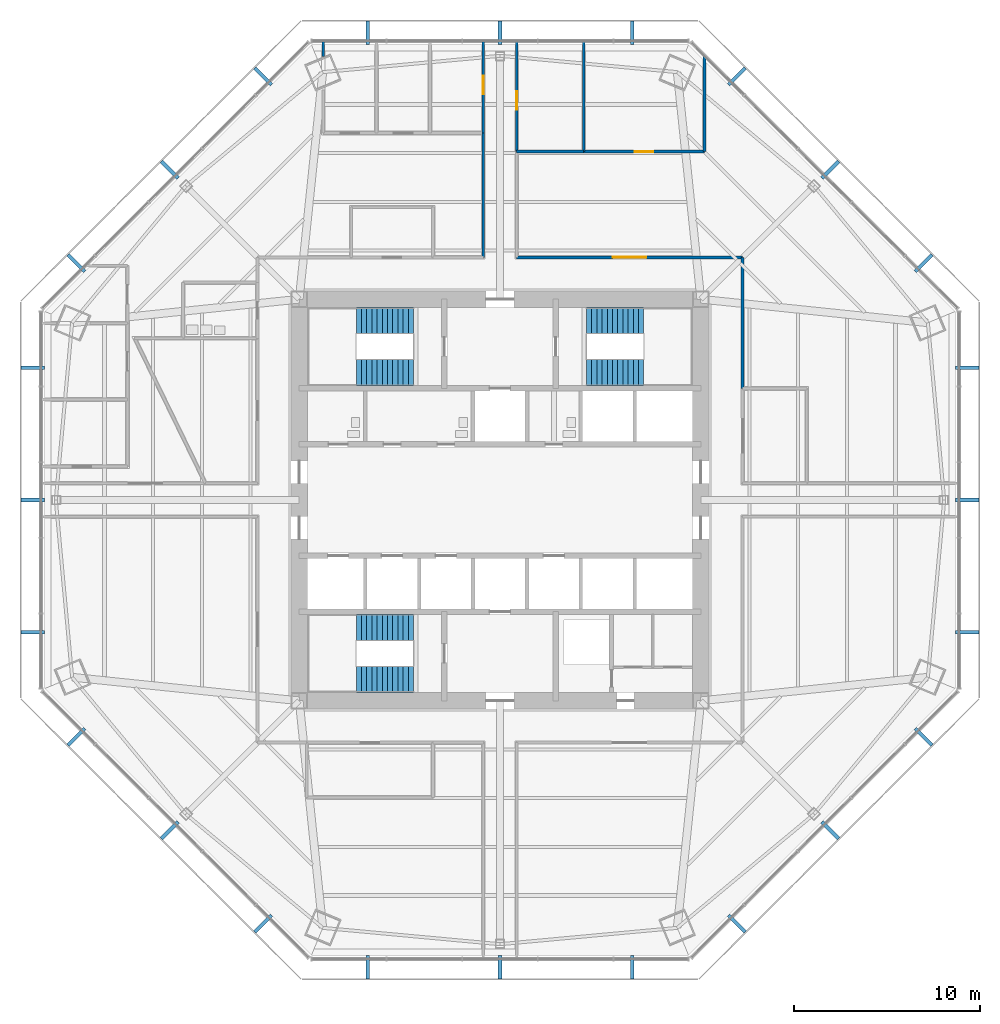
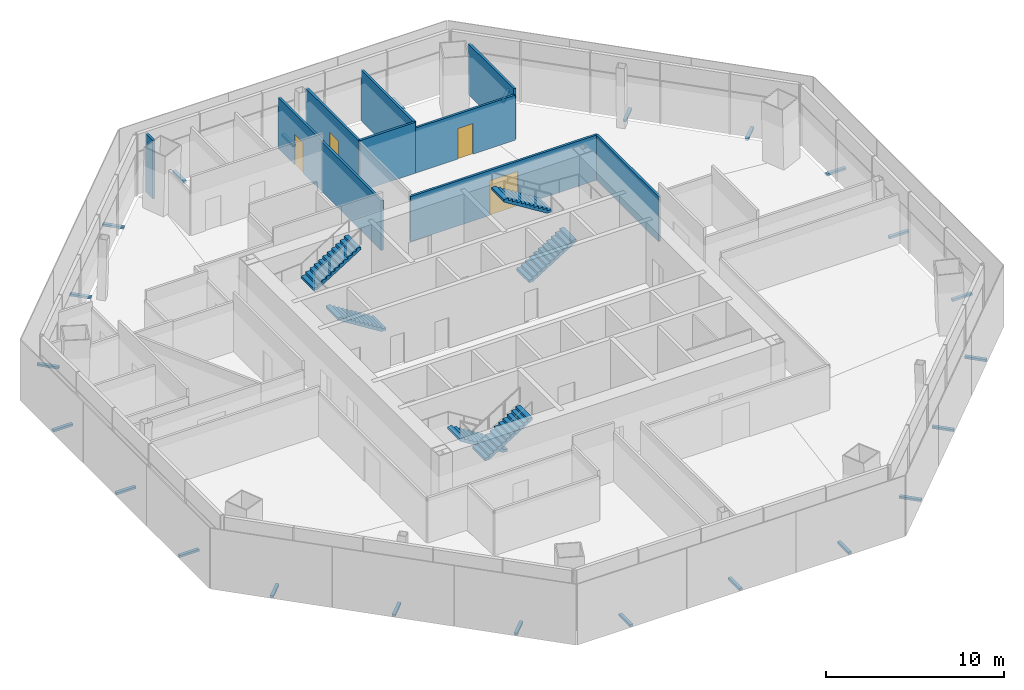
# One storey, part 11 of 14: 24 discrete accessories, 10 walls, 6 stair flights, 4 doors, 4 openings, 3 elements without a shape of their own.
"""IFC4 building model written with IfcOpenShell, lengths in metres."""

from ifc_helpers import new_model, si_unit, direction, frame, frame_2d, origin, origin_2d, place, context, subcontext, project, spatial, polyline, rectangle, outline, extrude, source, transform, mapped, material, layer, layer_set, type_object, type_shapes, element, fill, aggregate, save


model = new_model("IFC4")

# Units and contexts
model_context = context("Model", 3, precision=1e-05, world=origin(), true_north=direction((0.0, 1.0)))
body_context = subcontext(model_context, "Body", "Model", "MODEL_VIEW")
ifc_project = project(units=[si_unit("LENGTHUNIT", "METRE"), si_unit("AREAUNIT", "SQUARE_METRE"), si_unit("VOLUMEUNIT", "CUBIC_METRE"), si_unit("PLANEANGLEUNIT", "RADIAN"), si_unit("MASSUNIT", "GRAM", prefix="KILO")], contexts=[model_context])

# Site, building, storey
site_placement = place(None, origin())
site = spatial("IfcSite", under=ifc_project, at=site_placement, CompositionType="ELEMENT")
building_placement = place(site_placement, origin())
building = spatial("IfcBuilding", under=site, at=building_placement, Name="Mashrafa Tower", CompositionType="ELEMENT")
storey_placement = place(building_placement, frame((0.0, 0.0, 117.60009765625)))
storey = spatial("IfcBuildingStorey", under=building, at=storey_placement, Name="L26", CompositionType="ELEMENT", Elevation=117.60009765625)

# Wall, opening, door
ifc_material_1 = material(Name="Gypsum board on steel studs", Category="steel")
ifc_layer_1 = layer(ifc_material_1, 0.14990234375)
ifc_layer_set_1 = layer_set([ifc_layer_1], Name="Corridor partition 150 1 hr")
wall_type_1 = type_object("IfcWallType", Name="Corridor partition 150 1 hr", PredefinedType="PARTITIONING", material=ifc_layer_set_1)
wall_1_placement = place(storey_placement, frame((0.89990234375, 18.737060546875, 0.0), z_axis=(0.0, 0.0, 1.0), x_axis=(0.0, 1.0, 0.0)))
wall_1 = element("IfcWall", 1, at=wall_1_placement, inside=storey, type_object=wall_type_1, Name="Corridor wall L26-006", PredefinedType="PARTITIONING", context=body_context, shape_type="SweptSolid", body=[
    extrude(rectangle(XDim=5.93505859375, YDim=0.14990234375, at=frame_2d((2.967529296875, 0.0))), origin(), (0.0, 0.0, 1.0), 3.491455078125),
])
opening_1_placement = place(wall_1_placement, frame((2.25048828125, 0.0, 0.0)))
opening_1 = element("IfcOpeningElement", 2, at=opening_1_placement, cuts=wall_1, Name="Opening 26.005", PredefinedType="OPENING", context=body_context, shape_type="SweptSolid", body=[
    extrude(rectangle(XDim=1.0, YDim=2.10009765625, at=frame_2d((0.5, 1.050048828125))), frame((0.0, 0.0849609375, 0.0), z_axis=(0.0, -1.0, 0.0), x_axis=(1.0, 0.0, 0.0)), (0.0, 0.0, 1.0), 0.169921875),
])
ifc_material_2 = material(Name="Timber door", Category="wood")
door_type_1 = type_object("IfcDoorType", Name="Door 1000 x 2100", OperationType="USERDEFINED", PredefinedType="DOOR", material=ifc_material_2)
door_1_placement = place(opening_1_placement, frame((1.0, 0.0, 0.0), z_axis=(0.0, 0.0, 1.0), x_axis=(-1.0, 0.0, 0.0)))
door_1 = element("IfcDoor", 3, at=door_1_placement, inside=storey, type_object=door_type_1, Name="Secretary's Office 26 door", OperationType="SINGLE_SWING_RIGHT", OverallHeight=2.10009765625, OverallWidth=1.0, PredefinedType="DOOR", context=body_context, shape_type="SweptSolid", body=[
    extrude(rectangle(XDim=1.0, YDim=2.10009765625, at=frame_2d((0.5, 1.050048828125))), frame((0.0, 0.02490234375, 0.0), z_axis=(0.0, -1.0, 0.0), x_axis=(1.0, 0.0, 0.0)), (0.0, 0.0, 1.0), 0.050048828125),
])
fill(opening_1, door_1)

wall_2_placement = place(storey_placement, frame((-0.89990234375, 24.672119140625, 0.0), z_axis=(0.0, 0.0, 1.0), x_axis=(0.0, -1.0, 0.0)))
wall_2 = element("IfcWall", 4, at=wall_2_placement, inside=storey, type_object=wall_type_1, Name="Corridor wall L26-009", PredefinedType="PARTITIONING", context=body_context, shape_type="SweptSolid", body=[
    extrude(rectangle(XDim=4.93505859375, YDim=0.14990234375, at=frame_2d((2.467529296875, 0.0))), origin(), (0.0, 0.0, 1.0), 3.491455078125),
])
opening_2_placement = place(wall_2_placement, frame((1.849609375, 0.0, 0.0)))
opening_2 = element("IfcOpeningElement", 5, at=opening_2_placement, cuts=wall_2, Name="Opening 26.011", PredefinedType="OPENING", context=body_context, shape_type="SweptSolid", body=[
    extrude(rectangle(XDim=1.0, YDim=2.10009765625, at=frame_2d((0.5, 1.050048828125))), frame((0.0, 0.0849609375, 0.0), z_axis=(0.0, -1.0, 0.0), x_axis=(1.0, 0.0, 0.0)), (0.0, 0.0, 1.0), 0.169921875),
])
door_2_placement = place(opening_2_placement, frame((1.0, 0.0, 0.0), z_axis=(0.0, 0.0, 1.0), x_axis=(-1.0, 0.0, 0.0)))
door_2 = element("IfcDoor", 6, at=door_2_placement, inside=storey, type_object=door_type_1, Name="Meeting Room 26-1 door", OperationType="SINGLE_SWING_RIGHT", OverallHeight=2.10009765625, OverallWidth=1.0, PredefinedType="DOOR", context=body_context, shape_type="SweptSolid", body=[
    extrude(rectangle(XDim=1.0, YDim=2.10009765625, at=frame_2d((0.5, 1.050048828125))), frame((0.0, 0.02490234375, 0.0), z_axis=(0.0, -1.0, 0.0), x_axis=(1.0, 0.0, 0.0)), (0.0, 0.0, 1.0), 0.050048828125),
])
fill(opening_2, door_2)

# Wall
wall_3_placement = place(storey_placement, frame((13.050048828125, 5.9990234375, 0.0), z_axis=(0.0, 0.0, 1.0), x_axis=(0.0, 1.0, 0.0)))
element("IfcWall", 7, at=wall_3_placement, inside=storey, type_object=wall_type_1, Name="Corridor wall L26-010", PredefinedType="PARTITIONING", context=body_context, shape_type="SweptSolid", body=[
    extrude(rectangle(XDim=7.051025390625, YDim=0.14990234375, at=frame_2d((3.525390625, 0.0))), origin(), (0.0, 0.0, 1.0), 3.097900390625),
])

# Wall, opening, door
wall_4_placement = place(storey_placement, frame((13.050048828125, 13.050048828125, 0.0), z_axis=(0.0, 0.0, 1.0), x_axis=(-1.0, 0.0, 0.0)))
wall_4 = element("IfcWall", 8, at=wall_4_placement, inside=storey, type_object=wall_type_1, Name="Corridor wall L26-011", PredefinedType="PARTITIONING", context=body_context, shape_type="SweptSolid", body=[
    extrude(rectangle(XDim=12.150146484375, YDim=0.14990234375, at=frame_2d((6.0751953125, 0.0))), origin(), (0.0, 0.0, 1.0), 3.097900390625),
])
opening_3_placement = place(wall_4_placement, frame((5.175048828125, 0.0, 0.0)))
opening_3 = element("IfcOpeningElement", 9, at=opening_3_placement, cuts=wall_4, Name="Opening 26.014", PredefinedType="OPENING", context=body_context, shape_type="SweptSolid", body=[
    extrude(rectangle(XDim=1.800048828125, YDim=2.39990234375, at=frame_2d((0.89990234375, 1.199951171875))), frame((0.0, 0.0849609375, 0.0), z_axis=(0.0, -1.0, 0.0), x_axis=(1.0, 0.0, 0.0)), (0.0, 0.0, 1.0), 0.169921875),
])
ifc_material_3 = material(Name="Timber door", Category="wood")
door_type_2 = type_object("IfcDoorType", Name="Door pair 1800 x 2400", OperationType="DOUBLE_DOOR_SINGLE_SWING", PredefinedType="DOOR", material=ifc_material_3)
door_3_placement = place(opening_3_placement, frame((1.800048828125, 0.0, 0.0), z_axis=(0.0, 0.0, 1.0), x_axis=(-1.0, 0.0, 0.0)))
door_3 = element("IfcDoor", 10, at=door_3_placement, inside=storey, type_object=door_type_2, Name="Agency Services Office 26-NE door", OperationType="DOUBLE_DOOR_SINGLE_SWING", OverallHeight=2.39990234375, OverallWidth=1.800048828125, PredefinedType="DOOR", context=body_context, shape_type="SweptSolid", body=[
    extrude(rectangle(XDim=1.800048828125, YDim=2.39990234375, at=frame_2d((0.89990234375, 1.199951171875))), frame((0.0, 0.02490234375, 0.0), z_axis=(0.0, -1.0, 0.0), x_axis=(1.0, 0.0, 0.0)), (0.0, 0.0, 1.0), 0.050048828125),
])
fill(opening_3, door_3)

# Walls
wall_5_placement = place(storey_placement, frame((-0.89990234375, 19.739013671875, 0.0), z_axis=(0.0, 0.0, 1.0), x_axis=(0.0, -1.0, 0.0)))
element("IfcWall", 11, at=wall_5_placement, inside=storey, type_object=wall_type_1, Name="Corridor wall L26-017", PredefinedType="PARTITIONING", context=body_context, shape_type="SweptSolid", body=[
    extrude(rectangle(XDim=6.68896484375, YDim=0.14990234375, at=frame_2d((3.344482421875, 0.0))), origin(), (0.0, 0.0, 1.0), 3.425537109375),
])
ifc_material_4 = material(Name="Gypsum board on steel studs", Category="steel")
ifc_layer_2 = layer(ifc_material_4, 0.14990234375)
ifc_layer_set_2 = layer_set([ifc_layer_2], Name="Partition 150")
wall_type_2 = type_object("IfcWallType", Name="Partition 150", PredefinedType="PARTITIONING", material=ifc_layer_set_2)
wall_6_placement = place(storey_placement, frame((4.5, 24.669921875, 0.0), z_axis=(0.0, 0.0, 1.0), x_axis=(0.0, -1.0, 0.0)))
element("IfcWall", 12, at=wall_6_placement, inside=storey, type_object=wall_type_2, Name="Partition wall L26-035", PredefinedType="PARTITIONING", context=body_context, shape_type="SweptSolid", body=[
    extrude(rectangle(XDim=5.931884765625, YDim=0.14990234375, at=frame_2d((2.9658203125, 0.0))), origin(), (0.0, 0.0, 1.0), 3.491455078125),
])

# Wall, opening, door
wall_7_placement = place(storey_placement, frame((4.5, 18.738037109375, 0.0), z_axis=(0.0, 0.0, 1.0), x_axis=(1.0, 0.0, 0.0)))
wall_7 = element("IfcWall", 13, at=wall_7_placement, inside=storey, type_object=wall_type_2, Name="Partition wall L26-036", PredefinedType="PARTITIONING", context=body_context, shape_type="SweptSolid", body=[
    extrude(rectangle(XDim=6.5, YDim=0.14990234375, at=frame_2d((3.25, 0.0))), origin(), (0.0, 0.0, 1.0), 3.097900390625),
])
opening_4_placement = place(wall_7_placement, frame((2.75, 0.0, 0.0)))
opening_4 = element("IfcOpeningElement", 14, at=opening_4_placement, cuts=wall_7, Name="Opening 26.004", PredefinedType="OPENING", context=body_context, shape_type="SweptSolid", body=[
    extrude(rectangle(XDim=1.0, YDim=2.10009765625, at=frame_2d((0.5, 1.050048828125))), frame((0.0, 0.0849609375, 0.0), z_axis=(0.0, -1.0, 0.0), x_axis=(1.0, 0.0, 0.0)), (0.0, 0.0, 1.0), 0.169921875),
])
door_4_placement = place(opening_4_placement, origin())
door_4 = element("IfcDoor", 15, at=door_4_placement, inside=storey, type_object=door_type_1, Name="Director General's Office 26-NE door", OperationType="SINGLE_SWING_RIGHT", OverallHeight=2.10009765625, OverallWidth=1.0, PredefinedType="DOOR", context=body_context, shape_type="SweptSolid", body=[
    extrude(rectangle(XDim=1.0, YDim=2.10009765625, at=frame_2d((0.5, 1.050048828125))), frame((0.0, 0.02490234375, 0.0), z_axis=(0.0, -1.0, 0.0), x_axis=(1.0, 0.0, 0.0)), (0.0, 0.0, 1.0), 0.050048828125),
])
fill(opening_4, door_4)

# Walls
wall_8_placement = place(storey_placement, frame((11.0, 18.738037109375, 0.0), z_axis=(0.0, 0.0, 1.0), x_axis=(0.0, 1.0, 0.0)))
element("IfcWall", 16, at=wall_8_placement, inside=storey, type_object=wall_type_2, Name="Partition wall L26-037", PredefinedType="PARTITIONING", context=body_context, shape_type="SweptSolid", body=[
    extrude(rectangle(XDim=5.15234375, YDim=0.14990234375, at=frame_2d((2.576171875, 0.0))), origin(), (0.0, 0.0, 1.0), 3.4990234375),
])
wall_9_placement = place(storey_placement, frame((0.89990234375, 18.738037109375, 0.0), z_axis=(0.0, 0.0, 1.0), x_axis=(1.0, 0.0, 0.0)))
element("IfcWall", 17, at=wall_9_placement, inside=storey, type_object=wall_type_2, Name="Partition wall L26-038", PredefinedType="PARTITIONING", context=body_context, shape_type="SweptSolid", body=[
    extrude(rectangle(XDim=3.60009765625, YDim=0.14990234375, at=frame_2d((1.800048828125, 0.0))), origin(), (0.0, 0.0, 1.0), 3.4990234375),
])
wall_10_placement = place(storey_placement, frame((-9.506103515625, 24.669921875, 0.0), z_axis=(0.0, 0.0, 1.0), x_axis=(0.0, -1.0, 0.0)))
element("IfcWall", 18, at=wall_10_placement, inside=storey, type_object=wall_type_2, Name="Partition wall L26-057", PredefinedType="PARTITIONING", context=body_context, shape_type="SweptSolid", body=[
    extrude(rectangle(XDim=0.817138671875, YDim=0.14990234375, at=frame_2d((0.40869140625, 0.0))), origin(), (0.0, 0.0, 1.0), 4.034912109375),
])

# Stair, stair flights
ifc_material_5 = material(Name="Exit stair 1400")
stair_type = type_object("IfcStairType", Name="Exit stair 1400", PredefinedType="HALF_TURN_STAIR", material=ifc_material_5)
stair_1_placement = place(storey_placement, origin())
stair_1 = element("IfcStair", 19, at=stair_1_placement, inside=storey, type_object=stair_type, Name="Stair S1 L26", PredefinedType="HALF_TURN_STAIR")
ifc_material_6 = material(Name="Concrete C32/40", Category="concrete")
stair_flight_type = type_object("IfcStairFlightType", Name="Stair flight 1400", PredefinedType="STRAIGHT", material=ifc_material_6)
stair_flight_1_placement = place(storey_placement, frame((-4.64990234375, 6.85009765625, 0.0), z_axis=(0.0, 0.0, 1.0), x_axis=(-1.0, 0.0, 0.0)))
stair_flight_1 = element("IfcStairFlight", 20, at=stair_flight_1_placement, type_object=stair_flight_type, Name="S1 flight 1", NumberOfRisers=12, NumberOfTreads=11, PredefinedType="STRAIGHT", RiserHeight=0.175, TreadLength=0.28, context=body_context, shape_type="SweptSolid", body=[
    extrude(outline(polyline([(0.0, 0.0), (0.0, 0.175048828125), (0.280029296875, 0.175048828125), (0.280029296875, 0.35009765625), (0.56005859375, 0.35009765625), (0.56005859375, 0.52490234375), (0.840087890625, 0.52490234375), (0.840087890625, 0.699951171875), (1.1201171875, 0.699951171875), (1.1201171875, 0.875), (1.39990234375, 0.875), (1.39990234375, 1.050048828125), (1.679931640625, 1.050048828125), (1.679931640625, 1.22509765625), (1.9599609375, 1.22509765625), (1.9599609375, 1.39990234375), (2.239990234375, 1.39990234375), (2.239990234375, 1.574951171875), (2.52001953125, 1.574951171875), (2.52001953125, 1.75), (2.800048828125, 1.75), (2.800048828125, 1.925048828125), (3.080078125, 1.925048828125), (3.080078125, 2.10009765625), (3.080078125, 1.748291015625), (0.28271484375, 0.0), (0.0, 0.0)])), frame((0.0, 0.699951171875, 0.0), z_axis=(0.0, -1.0, 0.0), x_axis=(1.0, 0.0, 0.0)), (0.0, 0.0, 1.0), 1.39990234375),
])
stair_flight_2_placement = place(storey_placement, frame((-7.72998046875, 9.64990234375, 2.099853515625), z_axis=(0.0, 0.0, 1.0), x_axis=(1.0, 0.0, 0.0)))
stair_flight_2 = element("IfcStairFlight", 21, at=stair_flight_2_placement, type_object=stair_flight_type, Name="S1 flight 2", NumberOfRisers=12, NumberOfTreads=11, PredefinedType="STRAIGHT", RiserHeight=0.175, TreadLength=0.28, context=body_context, shape_type="SweptSolid", body=[
    extrude(outline(polyline([(0.0, 0.0), (0.0, 0.175048828125), (0.280029296875, 0.175048828125), (0.280029296875, 0.35009765625), (0.56005859375, 0.35009765625), (0.56005859375, 0.52490234375), (0.840087890625, 0.52490234375), (0.840087890625, 0.699951171875), (1.1201171875, 0.699951171875), (1.1201171875, 0.875), (1.39990234375, 0.875), (1.39990234375, 1.050048828125), (1.679931640625, 1.050048828125), (1.679931640625, 1.22509765625), (1.9599609375, 1.22509765625), (1.9599609375, 1.39990234375), (2.239990234375, 1.39990234375), (2.239990234375, 1.574951171875), (2.52001953125, 1.574951171875), (2.52001953125, 1.75), (2.800048828125, 1.75), (2.800048828125, 1.925048828125), (3.080078125, 1.925048828125), (3.080078125, 2.10009765625), (3.080078125, 1.748291015625), (0.28271484375, 0.0), (0.0, 0.0)])), frame((0.0, 0.699951171875, 0.0), z_axis=(0.0, -1.0, 0.0), x_axis=(1.0, 0.0, 0.0)), (0.0, 0.0, 1.0), 1.39990234375),
])
aggregate(stair_1, [stair_flight_1, stair_flight_2])

stair_2_placement = place(storey_placement, origin())
stair_2 = element("IfcStair", 22, at=stair_2_placement, inside=storey, type_object=stair_type, Name="Stair S2 L26", PredefinedType="HALF_TURN_STAIR")
stair_flight_3_placement = place(storey_placement, frame((4.64990234375, 6.85009765625, 0.0), z_axis=(0.0, 0.0, 1.0), x_axis=(1.0, 0.0, 0.0)))
stair_flight_3 = element("IfcStairFlight", 23, at=stair_flight_3_placement, type_object=stair_flight_type, Name="S2 flight 1", NumberOfRisers=12, NumberOfTreads=11, PredefinedType="STRAIGHT", RiserHeight=0.175, TreadLength=0.28, context=body_context, shape_type="SweptSolid", body=[
    extrude(outline(polyline([(0.0, 0.0), (0.0, 0.175048828125), (0.280029296875, 0.175048828125), (0.280029296875, 0.35009765625), (0.56005859375, 0.35009765625), (0.56005859375, 0.52490234375), (0.840087890625, 0.52490234375), (0.840087890625, 0.699951171875), (1.1201171875, 0.699951171875), (1.1201171875, 0.875), (1.39990234375, 0.875), (1.39990234375, 1.050048828125), (1.679931640625, 1.050048828125), (1.679931640625, 1.22509765625), (1.9599609375, 1.22509765625), (1.9599609375, 1.39990234375), (2.239990234375, 1.39990234375), (2.239990234375, 1.574951171875), (2.52001953125, 1.574951171875), (2.52001953125, 1.75), (2.800048828125, 1.75), (2.800048828125, 1.925048828125), (3.080078125, 1.925048828125), (3.080078125, 2.10009765625), (3.080078125, 1.748291015625), (0.28271484375, 0.0), (0.0, 0.0)])), frame((0.0, 0.699951171875, 0.0), z_axis=(0.0, -1.0, 0.0), x_axis=(1.0, 0.0, 0.0)), (0.0, 0.0, 1.0), 1.39990234375),
])
stair_flight_4_placement = place(storey_placement, frame((7.72998046875, 9.64990234375, 2.099853515625), z_axis=(0.0, 0.0, 1.0), x_axis=(-1.0, 0.0, 0.0)))
stair_flight_4 = element("IfcStairFlight", 24, at=stair_flight_4_placement, type_object=stair_flight_type, Name="S2 flight 2", NumberOfRisers=12, NumberOfTreads=11, PredefinedType="STRAIGHT", RiserHeight=0.175, TreadLength=0.28, context=body_context, shape_type="SweptSolid", body=[
    extrude(outline(polyline([(0.0, 0.0), (0.0, 0.175048828125), (0.280029296875, 0.175048828125), (0.280029296875, 0.35009765625), (0.56005859375, 0.35009765625), (0.56005859375, 0.52490234375), (0.840087890625, 0.52490234375), (0.840087890625, 0.699951171875), (1.1201171875, 0.699951171875), (1.1201171875, 0.875), (1.39990234375, 0.875), (1.39990234375, 1.050048828125), (1.679931640625, 1.050048828125), (1.679931640625, 1.22509765625), (1.9599609375, 1.22509765625), (1.9599609375, 1.39990234375), (2.239990234375, 1.39990234375), (2.239990234375, 1.574951171875), (2.52001953125, 1.574951171875), (2.52001953125, 1.75), (2.800048828125, 1.75), (2.800048828125, 1.925048828125), (3.080078125, 1.925048828125), (3.080078125, 2.10009765625), (3.080078125, 1.748291015625), (0.28271484375, 0.0), (0.0, 0.0)])), frame((0.0, 0.699951171875, 0.0), z_axis=(0.0, -1.0, 0.0), x_axis=(1.0, 0.0, 0.0)), (0.0, 0.0, 1.0), 1.39990234375),
])
aggregate(stair_2, [stair_flight_3, stair_flight_4])

stair_3_placement = place(storey_placement, origin())
stair_3 = element("IfcStair", 25, at=stair_3_placement, inside=storey, type_object=stair_type, Name="Stair S3 L26", PredefinedType="HALF_TURN_STAIR")
stair_flight_5_placement = place(storey_placement, frame((-4.64990234375, -6.85009765625, 0.0), z_axis=(0.0, 0.0, 1.0), x_axis=(-1.0, 0.0, 0.0)))
stair_flight_5 = element("IfcStairFlight", 26, at=stair_flight_5_placement, type_object=stair_flight_type, Name="S3 flight 1", NumberOfRisers=12, NumberOfTreads=11, PredefinedType="STRAIGHT", RiserHeight=0.175, TreadLength=0.28, context=body_context, shape_type="SweptSolid", body=[
    extrude(outline(polyline([(0.0, 0.0), (0.0, 0.175048828125), (0.280029296875, 0.175048828125), (0.280029296875, 0.35009765625), (0.56005859375, 0.35009765625), (0.56005859375, 0.52490234375), (0.840087890625, 0.52490234375), (0.840087890625, 0.699951171875), (1.1201171875, 0.699951171875), (1.1201171875, 0.875), (1.39990234375, 0.875), (1.39990234375, 1.050048828125), (1.679931640625, 1.050048828125), (1.679931640625, 1.22509765625), (1.9599609375, 1.22509765625), (1.9599609375, 1.39990234375), (2.239990234375, 1.39990234375), (2.239990234375, 1.574951171875), (2.52001953125, 1.574951171875), (2.52001953125, 1.75), (2.800048828125, 1.75), (2.800048828125, 1.925048828125), (3.080078125, 1.925048828125), (3.080078125, 2.10009765625), (3.080078125, 1.748291015625), (0.28271484375, 0.0), (0.0, 0.0)])), frame((0.0, 0.699951171875, 0.0), z_axis=(0.0, -1.0, 0.0), x_axis=(1.0, 0.0, 0.0)), (0.0, 0.0, 1.0), 1.39990234375),
])
stair_flight_6_placement = place(storey_placement, frame((-7.72998046875, -9.64990234375, 2.099853515625), z_axis=(0.0, 0.0, 1.0), x_axis=(1.0, 0.0, 0.0)))
stair_flight_6 = element("IfcStairFlight", 27, at=stair_flight_6_placement, type_object=stair_flight_type, Name="S3 flight 2", NumberOfRisers=12, NumberOfTreads=11, PredefinedType="STRAIGHT", RiserHeight=0.175, TreadLength=0.28, context=body_context, shape_type="SweptSolid", body=[
    extrude(outline(polyline([(0.0, 0.0), (0.0, 0.175048828125), (0.280029296875, 0.175048828125), (0.280029296875, 0.35009765625), (0.56005859375, 0.35009765625), (0.56005859375, 0.52490234375), (0.840087890625, 0.52490234375), (0.840087890625, 0.699951171875), (1.1201171875, 0.699951171875), (1.1201171875, 0.875), (1.39990234375, 0.875), (1.39990234375, 1.050048828125), (1.679931640625, 1.050048828125), (1.679931640625, 1.22509765625), (1.9599609375, 1.22509765625), (1.9599609375, 1.39990234375), (2.239990234375, 1.39990234375), (2.239990234375, 1.574951171875), (2.52001953125, 1.574951171875), (2.52001953125, 1.75), (2.800048828125, 1.75), (2.800048828125, 1.925048828125), (3.080078125, 1.925048828125), (3.080078125, 2.10009765625), (3.080078125, 1.748291015625), (0.28271484375, 0.0), (0.0, 0.0)])), frame((0.0, 0.699951171875, 0.0), z_axis=(0.0, -1.0, 0.0), x_axis=(1.0, 0.0, 0.0)), (0.0, 0.0, 1.0), 1.39990234375),
])
aggregate(stair_3, [stair_flight_5, stair_flight_6])

# Discrete accessories
ifc_material_7 = material(Name="Stainless steel screen bracket", Category="steel")
discrete_accessory_type = type_object("IfcDiscreteAccessoryType", Name="Screen support bracket 200 x 150", PredefinedType="BRACKET", material=ifc_material_7)
shared_shape = source(origin(), body_context, "Body", "SweptSolid", [
    extrude(rectangle(XDim=0.199951171875, YDim=1.27001953125, at=origin_2d()), origin(), (0.0, 0.0, 1.0), 0.14990234375),
])
type_shapes(discrete_accessory_type, [shared_shape])
for number, where, z_axis, x_axis, name in (
    (28, (25.123046875, -7.106201171875, -0.150146484375), (0.0, 0.0, 1.0), (0.0, 1.0, 0.0), "Screen support bracket L26 east 1"),
    (29, (25.123046875, 0.0, -0.150146484375), (0.0, 0.0, 1.0), (0.0, 1.0, 0.0), "Screen support bracket L26 east 2"),
    (30, (25.123046875, 7.106201171875, -0.150146484375), (0.0, 0.0, 1.0), (0.0, 1.0, 0.0), "Screen support bracket L26 east 3"),
    (31, (22.78955078125, 12.73974609375, -0.150146484375), (0.0, 0.0, 1.0), (-0.707106781187, 0.707106781187, 0.0), "Screen support bracket L26 north-east 1"),
    (32, (17.7646484375, 17.7646484375, -0.150146484375), (0.0, 0.0, 1.0), (-0.707106781187, 0.707106781187, 0.0), "Screen support bracket L26 north-east 2"),
    (33, (12.73974609375, 22.78955078125, -0.150146484375), (0.0, 0.0, 1.0), (-0.707106781187, 0.707106781187, 0.0), "Screen support bracket L26 north-east 3"),
    (34, (7.106201171875, 25.123046875, -0.150146484375), (0.0, 0.0, 1.0), (-1.0, 0.0, 0.0), "Screen support bracket L26 north 1"),
    (35, (0.0, 25.123046875, -0.150146484375), (0.0, 0.0, 1.0), (-1.0, 0.0, 0.0), "Screen support bracket L26 north 2"),
    (36, (-7.106201171875, 25.123046875, -0.150146484375), (0.0, 0.0, 1.0), (-1.0, 0.0, 0.0), "Screen support bracket L26 north 3"),
    (37, (-12.73974609375, 22.78955078125, -0.150146484375), (0.0, 0.0, 1.0), (-0.707106781187, -0.707106781187, 0.0), "Screen support bracket L26 north-west 1"),
    (38, (-17.7646484375, 17.7646484375, -0.150146484375), (0.0, 0.0, 1.0), (-0.707106781187, -0.707106781187, 0.0), "Screen support bracket L26 north-west 2"),
    (39, (-22.78955078125, 12.73974609375, -0.150146484375), (0.0, 0.0, 1.0), (-0.707106781187, -0.707106781187, 0.0), "Screen support bracket L26 north-west 3"),
    (40, (-25.123046875, 7.106201171875, -0.150146484375), (0.0, 0.0, 1.0), (0.0, -1.0, 0.0), "Screen support bracket L26 west 1"),
    (41, (-25.123046875, 0.0, -0.150146484375), (0.0, 0.0, 1.0), (0.0, -1.0, 0.0), "Screen support bracket L26 west 2"),
    (42, (-25.123046875, -7.106201171875, -0.150146484375), (0.0, 0.0, 1.0), (0.0, -1.0, 0.0), "Screen support bracket L26 west 3"),
    (43, (-22.78955078125, -12.73974609375, -0.150146484375), (0.0, 0.0, 1.0), (0.707106781187, -0.707106781187, 0.0), "Screen support bracket L26 south-west 1"),
    (44, (-17.7646484375, -17.7646484375, -0.150146484375), (0.0, 0.0, 1.0), (0.707106781187, -0.707106781187, 0.0), "Screen support bracket L26 south-west 2"),
    (45, (-12.73974609375, -22.78955078125, -0.150146484375), (0.0, 0.0, 1.0), (0.707106781187, -0.707106781187, 0.0), "Screen support bracket L26 south-west 3"),
    (46, (-7.106201171875, -25.123046875, -0.150146484375), (0.0, 0.0, 1.0), (1.0, 0.0, 0.0), "Screen support bracket L26 south 1"),
    (47, (0.0, -25.123046875, -0.150146484375), (0.0, 0.0, 1.0), (1.0, 0.0, 0.0), "Screen support bracket L26 south 2"),
    (48, (7.106201171875, -25.123046875, -0.150146484375), (0.0, 0.0, 1.0), (1.0, 0.0, 0.0), "Screen support bracket L26 south 3"),
    (49, (12.73974609375, -22.78955078125, -0.150146484375), (0.0, 0.0, 1.0), (0.707106781187, 0.707106781187, 0.0), "Screen support bracket L26 south-east 1"),
    (50, (17.7646484375, -17.7646484375, -0.150146484375), (0.0, 0.0, 1.0), (0.707106781187, 0.707106781187, 0.0), "Screen support bracket L26 south-east 2"),
    (51, (22.78955078125, -12.73974609375, -0.150146484375), (0.0, 0.0, 1.0), (0.707106781187, 0.707106781187, 0.0), "Screen support bracket L26 south-east 3"),
):
    element("IfcDiscreteAccessory", number, at=place(storey_placement, frame(where, z_axis=z_axis, x_axis=x_axis)), inside=storey, type_object=discrete_accessory_type, Name=name, PredefinedType="BRACKET", context=body_context, shape_type="MappedRepresentation", body=[
        mapped(shared_shape, transform((0.0, 0.0, 0.0))),
    ])

save(model, "model.ifc")
